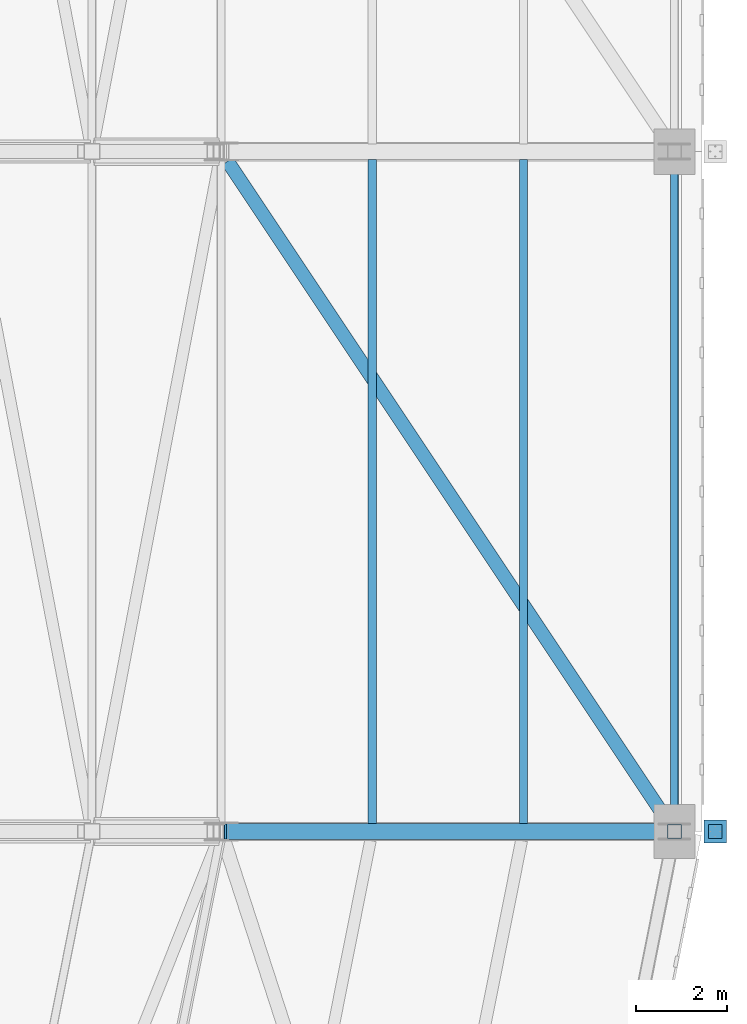
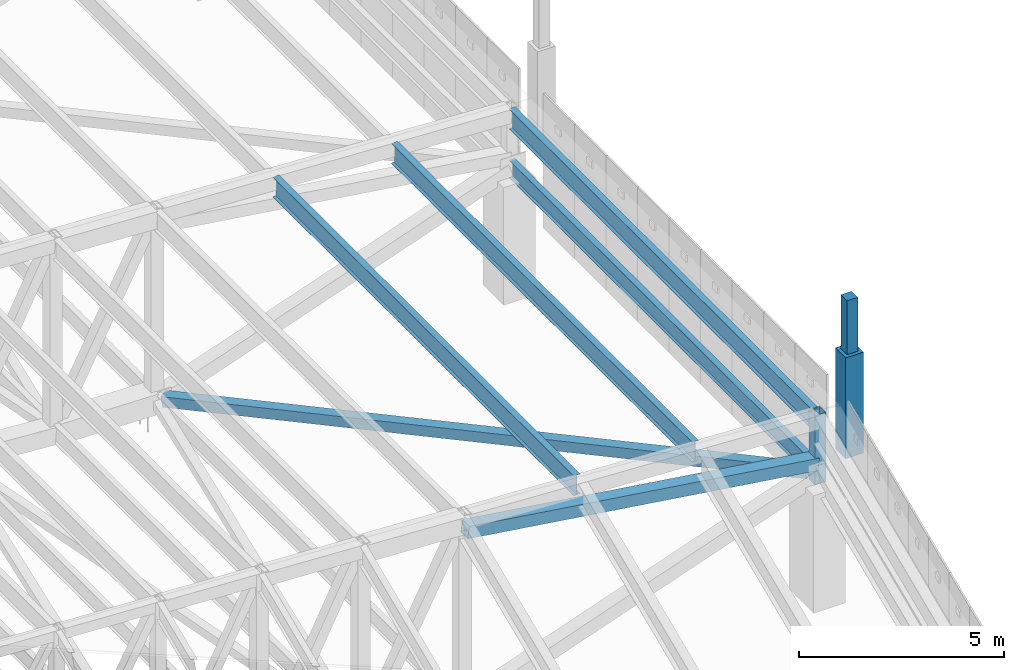
# One storey, part 52 of 278: 8 members, 1 beam.
"""IFC4 building model written with IfcOpenShell, lengths in metres."""

from ifc_helpers import new_model, si_unit, direction, frame, origin, origin_2d, place, context, subcontext, project, spatial, rectangle, hollow_rectangle, i_section, extrude, material, material_profile, profile_set, type_object, element, save


model = new_model("IFC4")

# Units and contexts
model_context = context("Model", 3, precision=1e-05, world=origin(), true_north=direction((0.0, 1.0)))
body_context = subcontext(model_context, "Body", "Model", "MODEL_VIEW")
ifc_project = project(units=[si_unit("LENGTHUNIT", "METRE"), si_unit("AREAUNIT", "SQUARE_METRE"), si_unit("VOLUMEUNIT", "CUBIC_METRE"), si_unit("PLANEANGLEUNIT", "RADIAN"), si_unit("MASSUNIT", "GRAM", prefix="KILO")], contexts=[model_context])

# Site, building, storey
site_placement = place(None, origin())
site = spatial("IfcSite", under=ifc_project, at=site_placement, CompositionType="ELEMENT")
building_placement = place(site_placement, origin())
building = spatial("IfcBuilding", under=site, at=building_placement, Name="Ogive Plaza Stadium", CompositionType="ELEMENT")
storey_placement = place(building_placement, frame((0.0, 0.0, 29.0)))
storey = spatial("IfcBuildingStorey", under=building, at=storey_placement, Name="Roof", CompositionType="ELEMENT", Elevation=29.0)

# Members
ifc_material_1 = material(Name="Concrete C45/55 precast", Category="concrete")
ifc_material_profile_1 = material_profile(ifc_material_1, rectangle(XDim=0.5, YDim=0.5, at=origin_2d()), Name="RC 500x500")
ifc_profile_set_1 = profile_set([ifc_material_profile_1], Name="Concrete C45/55 precast")
member_type_1 = type_object("IfcMemberType", Name="Precast pinnacle 500x500", PredefinedType="POST", material=ifc_profile_set_1)
member_1_placement = place(storey_placement, frame((84.89990234375, -52.5, 4.0), z_axis=(0.0, 0.0, 1.0), x_axis=(0.0, 1.0, 0.0)))
element("IfcMember", 1, at=member_1_placement, inside=storey, type_object=member_type_1, Name="PINNACLE R08", PredefinedType="POST", context=body_context, shape_type="SweptSolid", body=[
    extrude(rectangle(XDim=0.5, YDim=0.5, at=origin_2d()), origin(), (0.0, 0.0, 1.0), 3.0),
])
ifc_material_2 = material(Name="Concrete C45/55 precast", Category="concrete")
ifc_material_profile_2 = material_profile(ifc_material_2, rectangle(XDim=0.300048828125, YDim=0.300048828125, at=origin_2d()), Name="RC 300x300")
ifc_profile_set_2 = profile_set([ifc_material_profile_2], Name="Concrete C45/55 precast")
member_type_2 = type_object("IfcMemberType", Name="Precast spire 300x300", PredefinedType="MEMBER", material=ifc_profile_set_2)
member_2_placement = place(storey_placement, frame((84.89990234375, -52.5, 7.0), z_axis=(0.0, 0.0, 1.0), x_axis=(0.0, 1.0, 0.0)))
element("IfcMember", 2, at=member_2_placement, inside=storey, type_object=member_type_2, Name="SPIRE R08", PredefinedType="MEMBER", context=body_context, shape_type="SweptSolid", body=[
    extrude(rectangle(XDim=0.300048828125, YDim=0.300048828125, at=origin_2d()), origin(), (0.0, 0.0, 1.0), 1.60009765625),
])
ifc_material_3 = material(Name="Steel ASTM A500 Grade C", Category="steel")
ifc_material_profile_3 = material_profile(ifc_material_3, hollow_rectangle(XDim=0.3046875, YDim=0.3046875, WallThickness=0.0087890625, at=origin_2d()), Name="HSS12X12X3/8")
ifc_profile_set_3 = profile_set([ifc_material_profile_3], Name="Steel ASTM A500 Grade C")
member_type_3 = type_object("IfcMemberType", Name="Roof plan brace HSS12X12X3/8", PredefinedType="BRACE", material=ifc_profile_set_3)
member_3_placement = place(storey_placement, frame((74.158203125, -37.7373046875, 0.358642578125), z_axis=(0.545096233751, -0.817651210116, 0.185247387419), x_axis=(0.832052442118, 0.554696974542, 0.0)))
element("IfcMember", 3, at=member_3_placement, inside=storey, type_object=member_type_3, Name="ROOF BRACE B07 11", PredefinedType="BRACE", context=body_context, shape_type="SweptSolid", body=[
    extrude(hollow_rectangle(XDim=0.3046875, YDim=0.3046875, WallThickness=0.0087890625, at=origin_2d()), origin(), (0.0, 0.0, 1.0), 17.7958984375),
])
ifc_material_4 = material(Name="Steel ASTM A992 Grade 50", Category="steel")
ifc_material_profile_4 = material_profile(ifc_material_4, i_section(OverallWidth=0.1650390625, OverallDepth=0.524658203125, WebThickness=0.0087890625, FlangeThickness=0.011474609375, at=origin_2d()), Name="W21X44")
ifc_profile_set_4 = profile_set([ifc_material_profile_4], Name="Steel ASTM A992 Grade 50")
member_type_4 = type_object("IfcMemberType", Name="Roof plan strut W21X44", PredefinedType="STRUT", material=ifc_profile_set_4)
member_4_placement = place(storey_placement, frame((84.0, -37.622314453125, 3.703125), z_axis=(0.0, -1.0, 0.0), x_axis=(1.0, 0.0, 0.0)))
element("IfcMember", 4, at=member_4_placement, inside=storey, type_object=member_type_4, Name="ROOF STRUT B07 11", PredefinedType="STRUT", context=body_context, shape_type="SweptSolid", body=[
    extrude(i_section(OverallWidth=0.1650390625, OverallDepth=0.524658203125, WebThickness=0.0087890625, FlangeThickness=0.011474609375, at=origin_2d()), origin(), (0.0, 0.0, 1.0), 14.75537109375),
])
ifc_material_5 = material(Name="Steel ASTM A992 Grade 50", Category="steel")
ifc_material_profile_5 = material_profile(ifc_material_5, i_section(OverallWidth=0.177978515625, OverallDepth=0.5986328125, WebThickness=0.010009765625, FlangeThickness=0.012939453125, at=origin_2d()), Name="W24X55")
ifc_profile_set_5 = profile_set([ifc_material_profile_5], Name="Steel ASTM A992 Grade 50")
member_type_5 = type_object("IfcMemberType", Name="Roof purlin W24X55", PredefinedType="PURLIN", material=ifc_profile_set_5)
for number, where, z_axis, x_axis, name in (
    (5, (77.333251953125, -37.673095703125, 5.533935546875), (0.0, -1.0, 0.0), (1.0, 0.0, 0.0), "ROOF PURLIN B07 11"),
    (6, (80.666748046875, -37.673095703125, 5.367431640625), (0.0, -1.0, 0.0), (1.0, 0.0, 0.0), "ROOF PURLIN B07 12"),
):
    element("IfcMember", number, at=place(storey_placement, frame(where, z_axis=z_axis, x_axis=x_axis)), inside=storey, type_object=member_type_5, Name=name, PredefinedType="PURLIN", context=body_context, shape_type="SweptSolid", body=[
        extrude(i_section(OverallWidth=0.177978515625, OverallDepth=0.5986328125, WebThickness=0.010009765625, FlangeThickness=0.012939453125, at=origin_2d()), origin(), (0.0, 0.0, 1.0), 14.65380859375),
    ])
member_5_placement = place(storey_placement, frame((84.0, -37.622314453125, 5.20068359375), z_axis=(0.0, -1.0, 0.0), x_axis=(1.0, 0.0, 0.0)))
element("IfcMember", 7, at=member_5_placement, inside=storey, type_object=member_type_5, Name="ROOF PURLIN B07 13", PredefinedType="PURLIN", context=body_context, shape_type="SweptSolid", body=[
    extrude(i_section(OverallWidth=0.177978515625, OverallDepth=0.5986328125, WebThickness=0.010009765625, FlangeThickness=0.012939453125, at=origin_2d()), origin(), (0.0, 0.0, 1.0), 14.75537109375),
])
ifc_material_6 = material(Name="Steel ASTM A500 Grade C", Category="steel")
ifc_material_profile_6 = material_profile(ifc_material_6, hollow_rectangle(XDim=0.355712890625, YDim=0.355712890625, WallThickness=0.0146484375, at=origin_2d()), Name="HSS14X14X5/8")
ifc_profile_set_6 = profile_set([ifc_material_profile_6], Name="Steel ASTM A500 Grade C")
member_type_6 = type_object("IfcMemberType", Name="Roof truss back-stay HSS14X14X5/8", PredefinedType="BRACE", material=ifc_profile_set_6)
member_6_placement = place(storey_placement, frame((74.093017578125, -52.5, 5.45654296875), z_axis=(0.989844100519, 0.0, -0.142157154826), x_axis=(0.0, 1.0, 0.0)))
element("IfcMember", 8, at=member_6_placement, inside=storey, type_object=member_type_6, Name="BACK-STAY T08", PredefinedType="BRACE", context=body_context, shape_type="SweptSolid", body=[
    extrude(hollow_rectangle(XDim=0.355712890625, YDim=0.355712890625, WallThickness=0.0146484375, at=origin_2d()), origin(), (0.0, 0.0, 1.0), 9.9404296875),
])

# Beam
ifc_material_7 = material(Name="Steel ASTM A500 Grade C", Category="steel")
ifc_material_profile_7 = material_profile(ifc_material_7, hollow_rectangle(XDim=0.3046875, YDim=0.3046875, WallThickness=0.01171875, at=origin_2d()), Name="HSS12X12X1/2")
ifc_profile_set_7 = profile_set([ifc_material_profile_7], Name="Steel ASTM A500 Grade C")
beam_type = type_object("IfcBeamType", Name="Roof truss post HSS12X12X1/2", PredefinedType="BEAM", material=ifc_profile_set_7)
beam_placement = place(storey_placement, frame((84.0, -52.5, 3.43994140625), z_axis=(0.0, 0.0, 1.0), x_axis=(0.0, 1.0, 0.0)))
element("IfcBeam", 9, at=beam_placement, inside=storey, type_object=beam_type, Name="ROOF TRUSS T08 POST 12", PredefinedType="BEAM", context=body_context, shape_type="SweptSolid", body=[
    extrude(hollow_rectangle(XDim=0.3046875, YDim=0.3046875, WallThickness=0.01171875, at=origin_2d()), origin(), (0.0, 0.0, 1.0), 2.06005859375),
])

save(model, "model.ifc")
